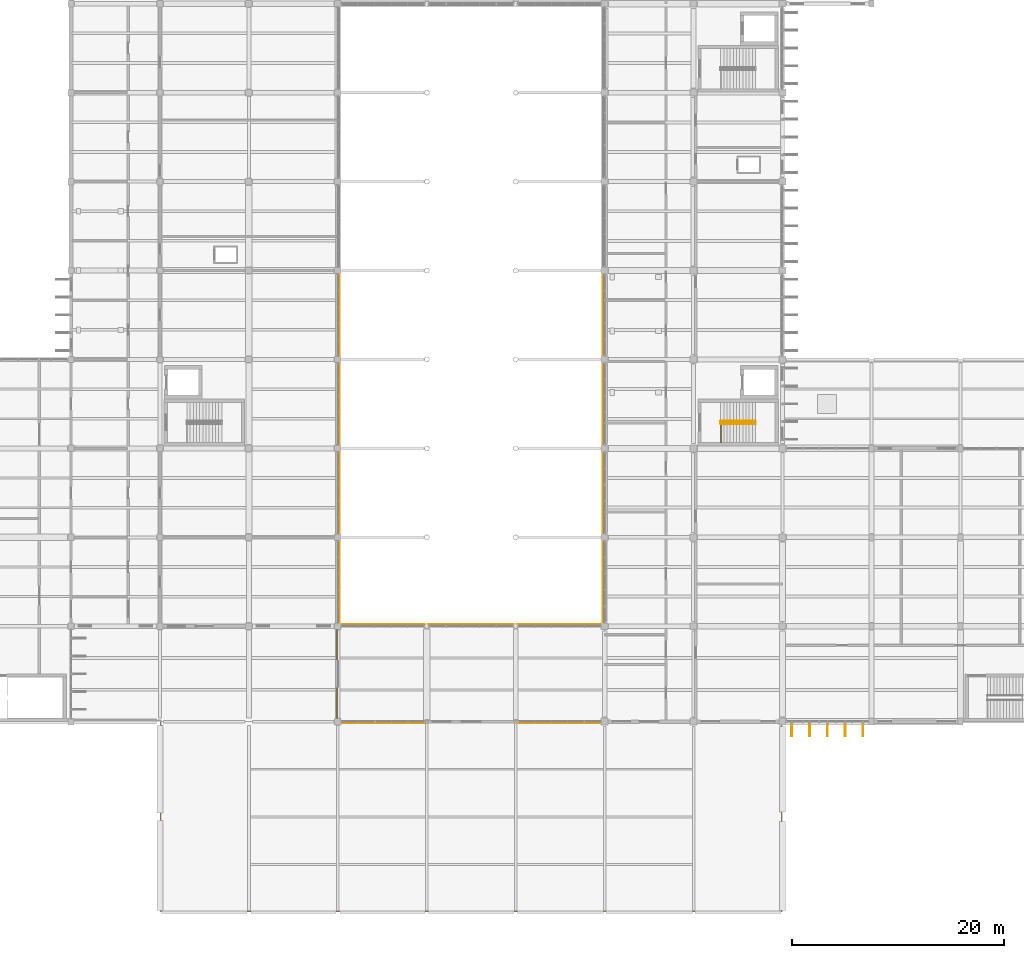
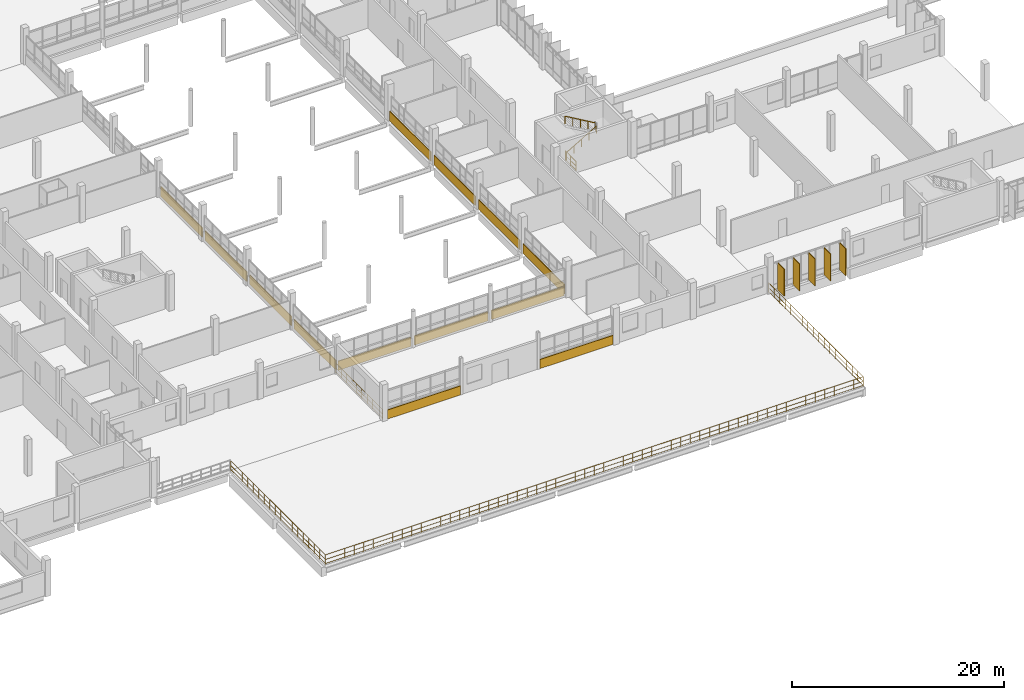
# One storey, part 96 of 101: 13 coverings, 5 railings, 5 shading devices.
"""IFC4 building model written with IfcOpenShell, lengths in metres."""

from ifc_helpers import new_model, si_unit, direction, frame, origin, origin_2d, place, context, subcontext, project, spatial, rectangle, circle, extrude, material, layer, layer_set, material_profile, profile_set, type_object, element, save


model = new_model("IFC4")

# Units and contexts
model_context = context("Model", 3, precision=1e-05, world=origin(), true_north=direction((0.0, 1.0)))
body_context = subcontext(model_context, "Body", "Model", "MODEL_VIEW")
ifc_project = project(units=[si_unit("LENGTHUNIT", "METRE"), si_unit("AREAUNIT", "SQUARE_METRE"), si_unit("VOLUMEUNIT", "CUBIC_METRE"), si_unit("PLANEANGLEUNIT", "RADIAN"), si_unit("MASSUNIT", "GRAM", prefix="KILO")], contexts=[model_context])

# Site, building, storey
site_placement = place(None, origin())
site = spatial("IfcSite", under=ifc_project, at=site_placement, CompositionType="ELEMENT")
building_placement = place(site_placement, origin())
building = spatial("IfcBuilding", under=site, at=building_placement, Name="Vireocrest Preparatory School", CompositionType="ELEMENT")
storey_placement = place(building_placement, frame((0.0, 0.0, 4.800048828125)))
storey = spatial("IfcBuildingStorey", under=building, at=storey_placement, Name="L01", CompositionType="ELEMENT", Elevation=4.800048828125)

# Railings
ifc_material_1 = material(Name="Brushed stainless steel AISI 316", Category="steel")
railing_type_1 = type_object("IfcRailingType", Name="Post-and-Rail Guard Balustrade 1120", PredefinedType="BALUSTRADE", material=ifc_material_1)
railing_1_placement = place(storey_placement, frame((50.47998046875, 17.919921875, 0.0)))
element("IfcRailing", 1, at=railing_1_placement, inside=storey, type_object=railing_type_1, Name="Terrace and Deck Guard Balustrade GR1 L01 PLAY_DECK_U", PredefinedType="BALUSTRADE", context=body_context, shape_type="SweptSolid", body=[
    extrude(circle(Radius=0.02392578125, at=origin_2d()), frame((0.0, 0.0, 1.09619140625), z_axis=(0.0, -1.0, 0.0), x_axis=(1.0, 0.0, 0.0)), (0.0, 0.0, 1.0), 17.83984375),
    extrude(circle(Radius=0.01806640625, at=origin_2d()), frame((0.0, 0.0, 0.56005859375), z_axis=(0.0, -1.0, 0.0), x_axis=(1.0, 0.0, 0.0)), (0.0, 0.0, 1.0), 17.83984375),
    extrude(circle(Radius=0.01806640625, at=origin_2d()), frame((0.0, 0.0, 0.10009765625), z_axis=(0.0, -1.0, 0.0), x_axis=(1.0, 0.0, 0.0)), (0.0, 0.0, 1.0), 17.83984375),
    extrude(circle(Radius=0.02392578125, at=origin_2d()), frame((0.0, -17.83984375, 1.09619140625), z_axis=(1.0, 0.0, 0.0), x_axis=(0.0, 1.0, 0.0)), (0.0, 0.0, 1.0), 58.64013671875),
    extrude(circle(Radius=0.01806640625, at=origin_2d()), frame((0.0, -17.83984375, 0.56005859375), z_axis=(1.0, 0.0, 0.0), x_axis=(0.0, 1.0, 0.0)), (0.0, 0.0, 1.0), 58.64013671875),
    extrude(circle(Radius=0.01806640625, at=origin_2d()), frame((0.0, -17.83984375, 0.10009765625), z_axis=(1.0, 0.0, 0.0), x_axis=(0.0, 1.0, 0.0)), (0.0, 0.0, 1.0), 58.64013671875),
    extrude(circle(Radius=0.02392578125, at=origin_2d()), frame((58.64013671875, -17.83984375, 1.09619140625), z_axis=(0.0, 1.0, 0.0), x_axis=(-1.0, 0.0, 0.0)), (0.0, 0.0, 1.0), 17.83984375),
    extrude(circle(Radius=0.01806640625, at=origin_2d()), frame((58.64013671875, -17.83984375, 0.56005859375), z_axis=(0.0, 1.0, 0.0), x_axis=(-1.0, 0.0, 0.0)), (0.0, 0.0, 1.0), 17.83984375),
    extrude(circle(Radius=0.01806640625, at=origin_2d()), frame((58.64013671875, -17.83984375, 0.10009765625), z_axis=(0.0, 1.0, 0.0), x_axis=(-1.0, 0.0, 0.0)), (0.0, 0.0, 1.0), 17.83984375),
    extrude(circle(Radius=0.02099609375, at=origin_2d()), origin(), (0.0, 0.0, 1.0), 1.072021484375),
    extrude(circle(Radius=0.02099609375, at=origin_2d()), frame((0.0, -1.04931640625, 0.0)), (0.0, 0.0, 1.0), 1.072021484375),
    extrude(circle(Radius=0.02099609375, at=origin_2d()), frame((0.0, -2.098876953125, 0.0)), (0.0, 0.0, 1.0), 1.072021484375),
    extrude(circle(Radius=0.02099609375, at=origin_2d()), frame((0.0, -3.148193359375, 0.0)), (0.0, 0.0, 1.0), 1.072021484375),
    extrude(circle(Radius=0.02099609375, at=origin_2d()), frame((0.0, -4.197509765625, 0.0)), (0.0, 0.0, 1.0), 1.072021484375),
    extrude(circle(Radius=0.02099609375, at=origin_2d()), frame((0.0, -5.2470703125, 0.0)), (0.0, 0.0, 1.0), 1.072021484375),
    extrude(circle(Radius=0.02099609375, at=origin_2d()), frame((0.0, -6.29638671875, 0.0)), (0.0, 0.0, 1.0), 1.072021484375),
    extrude(circle(Radius=0.02099609375, at=origin_2d()), frame((0.0, -7.345703125, 0.0)), (0.0, 0.0, 1.0), 1.072021484375),
    extrude(circle(Radius=0.02099609375, at=origin_2d()), frame((0.0, -8.395263671875, 0.0)), (0.0, 0.0, 1.0), 1.072021484375),
    extrude(circle(Radius=0.02099609375, at=origin_2d()), frame((0.0, -9.444580078125, 0.0)), (0.0, 0.0, 1.0), 1.072021484375),
    extrude(circle(Radius=0.02099609375, at=origin_2d()), frame((0.0, -10.494140625, 0.0)), (0.0, 0.0, 1.0), 1.072021484375),
    extrude(circle(Radius=0.02099609375, at=origin_2d()), frame((0.0, -11.54345703125, 0.0)), (0.0, 0.0, 1.0), 1.072021484375),
    extrude(circle(Radius=0.02099609375, at=origin_2d()), frame((0.0, -12.5927734375, 0.0)), (0.0, 0.0, 1.0), 1.072021484375),
    extrude(circle(Radius=0.02099609375, at=origin_2d()), frame((0.0, -13.642333984375, 0.0)), (0.0, 0.0, 1.0), 1.072021484375),
    extrude(circle(Radius=0.02099609375, at=origin_2d()), frame((0.0, -14.691650390625, 0.0)), (0.0, 0.0, 1.0), 1.072021484375),
    extrude(circle(Radius=0.02099609375, at=origin_2d()), frame((0.0, -15.740966796875, 0.0)), (0.0, 0.0, 1.0), 1.072021484375),
    extrude(circle(Radius=0.02099609375, at=origin_2d()), frame((0.0, -16.79052734375, 0.0)), (0.0, 0.0, 1.0), 1.072021484375),
    extrude(circle(Radius=0.02099609375, at=origin_2d()), frame((0.0, -17.83984375, 0.0)), (0.0, 0.0, 1.0), 1.072021484375),
    extrude(circle(Radius=0.02099609375, at=origin_2d()), frame((1.047119140625, -17.83984375, 0.0)), (0.0, 0.0, 1.0), 1.072021484375),
    extrude(circle(Radius=0.02099609375, at=origin_2d()), frame((2.09423828125, -17.83984375, 0.0)), (0.0, 0.0, 1.0), 1.072021484375),
    extrude(circle(Radius=0.02099609375, at=origin_2d()), frame((3.141357421875, -17.83984375, 0.0)), (0.0, 0.0, 1.0), 1.072021484375),
    extrude(circle(Radius=0.02099609375, at=origin_2d()), frame((4.1884765625, -17.83984375, 0.0)), (0.0, 0.0, 1.0), 1.072021484375),
    extrude(circle(Radius=0.02099609375, at=origin_2d()), frame((5.23583984375, -17.83984375, 0.0)), (0.0, 0.0, 1.0), 1.072021484375),
    extrude(circle(Radius=0.02099609375, at=origin_2d()), frame((6.282958984375, -17.83984375, 0.0)), (0.0, 0.0, 1.0), 1.072021484375),
    extrude(circle(Radius=0.02099609375, at=origin_2d()), frame((7.330078125, -17.83984375, 0.0)), (0.0, 0.0, 1.0), 1.072021484375),
    extrude(circle(Radius=0.02099609375, at=origin_2d()), frame((8.377197265625, -17.83984375, 0.0)), (0.0, 0.0, 1.0), 1.072021484375),
    extrude(circle(Radius=0.02099609375, at=origin_2d()), frame((9.42431640625, -17.83984375, 0.0)), (0.0, 0.0, 1.0), 1.072021484375),
    extrude(circle(Radius=0.02099609375, at=origin_2d()), frame((10.471435546875, -17.83984375, 0.0)), (0.0, 0.0, 1.0), 1.072021484375),
    extrude(circle(Radius=0.02099609375, at=origin_2d()), frame((11.5185546875, -17.83984375, 0.0)), (0.0, 0.0, 1.0), 1.072021484375),
    extrude(circle(Radius=0.02099609375, at=origin_2d()), frame((12.565673828125, -17.83984375, 0.0)), (0.0, 0.0, 1.0), 1.072021484375),
    extrude(circle(Radius=0.02099609375, at=origin_2d()), frame((13.61279296875, -17.83984375, 0.0)), (0.0, 0.0, 1.0), 1.072021484375),
    extrude(circle(Radius=0.02099609375, at=origin_2d()), frame((14.66015625, -17.83984375, 0.0)), (0.0, 0.0, 1.0), 1.072021484375),
    extrude(circle(Radius=0.02099609375, at=origin_2d()), frame((15.707275390625, -17.83984375, 0.0)), (0.0, 0.0, 1.0), 1.072021484375),
    extrude(circle(Radius=0.02099609375, at=origin_2d()), frame((16.75439453125, -17.83984375, 0.0)), (0.0, 0.0, 1.0), 1.072021484375),
    extrude(circle(Radius=0.02099609375, at=origin_2d()), frame((17.801513671875, -17.83984375, 0.0)), (0.0, 0.0, 1.0), 1.072021484375),
    extrude(circle(Radius=0.02099609375, at=origin_2d()), frame((18.8486328125, -17.83984375, 0.0)), (0.0, 0.0, 1.0), 1.072021484375),
    extrude(circle(Radius=0.02099609375, at=origin_2d()), frame((19.895751953125, -17.83984375, 0.0)), (0.0, 0.0, 1.0), 1.072021484375),
    extrude(circle(Radius=0.02099609375, at=origin_2d()), frame((20.94287109375, -17.83984375, 0.0)), (0.0, 0.0, 1.0), 1.072021484375),
    extrude(circle(Radius=0.02099609375, at=origin_2d()), frame((21.989990234375, -17.83984375, 0.0)), (0.0, 0.0, 1.0), 1.072021484375),
    extrude(circle(Radius=0.02099609375, at=origin_2d()), frame((23.037109375, -17.83984375, 0.0)), (0.0, 0.0, 1.0), 1.072021484375),
    extrude(circle(Radius=0.02099609375, at=origin_2d()), frame((24.084228515625, -17.83984375, 0.0)), (0.0, 0.0, 1.0), 1.072021484375),
    extrude(circle(Radius=0.02099609375, at=origin_2d()), frame((25.131591796875, -17.83984375, 0.0)), (0.0, 0.0, 1.0), 1.072021484375),
    extrude(circle(Radius=0.02099609375, at=origin_2d()), frame((26.1787109375, -17.83984375, 0.0)), (0.0, 0.0, 1.0), 1.072021484375),
    extrude(circle(Radius=0.02099609375, at=origin_2d()), frame((27.225830078125, -17.83984375, 0.0)), (0.0, 0.0, 1.0), 1.072021484375),
    extrude(circle(Radius=0.02099609375, at=origin_2d()), frame((28.27294921875, -17.83984375, 0.0)), (0.0, 0.0, 1.0), 1.072021484375),
    extrude(circle(Radius=0.02099609375, at=origin_2d()), frame((29.320068359375, -17.83984375, 0.0)), (0.0, 0.0, 1.0), 1.072021484375),
    extrude(circle(Radius=0.02099609375, at=origin_2d()), frame((30.3671875, -17.83984375, 0.0)), (0.0, 0.0, 1.0), 1.072021484375),
    extrude(circle(Radius=0.02099609375, at=origin_2d()), frame((31.414306640625, -17.83984375, 0.0)), (0.0, 0.0, 1.0), 1.072021484375),
    extrude(circle(Radius=0.02099609375, at=origin_2d()), frame((32.46142578125, -17.83984375, 0.0)), (0.0, 0.0, 1.0), 1.072021484375),
    extrude(circle(Radius=0.02099609375, at=origin_2d()), frame((33.508544921875, -17.83984375, 0.0)), (0.0, 0.0, 1.0), 1.072021484375),
    extrude(circle(Radius=0.02099609375, at=origin_2d()), frame((34.555908203125, -17.83984375, 0.0)), (0.0, 0.0, 1.0), 1.072021484375),
    extrude(circle(Radius=0.02099609375, at=origin_2d()), frame((35.60302734375, -17.83984375, 0.0)), (0.0, 0.0, 1.0), 1.072021484375),
    extrude(circle(Radius=0.02099609375, at=origin_2d()), frame((36.650146484375, -17.83984375, 0.0)), (0.0, 0.0, 1.0), 1.072021484375),
    extrude(circle(Radius=0.02099609375, at=origin_2d()), frame((37.697265625, -17.83984375, 0.0)), (0.0, 0.0, 1.0), 1.072021484375),
    extrude(circle(Radius=0.02099609375, at=origin_2d()), frame((38.744384765625, -17.83984375, 0.0)), (0.0, 0.0, 1.0), 1.072021484375),
    extrude(circle(Radius=0.02099609375, at=origin_2d()), frame((39.79150390625, -17.83984375, 0.0)), (0.0, 0.0, 1.0), 1.072021484375),
    extrude(circle(Radius=0.02099609375, at=origin_2d()), frame((40.838623046875, -17.83984375, 0.0)), (0.0, 0.0, 1.0), 1.072021484375),
    extrude(circle(Radius=0.02099609375, at=origin_2d()), frame((41.8857421875, -17.83984375, 0.0)), (0.0, 0.0, 1.0), 1.072021484375),
    extrude(circle(Radius=0.02099609375, at=origin_2d()), frame((42.932861328125, -17.83984375, 0.0)), (0.0, 0.0, 1.0), 1.072021484375),
    extrude(circle(Radius=0.02099609375, at=origin_2d()), frame((43.97998046875, -17.83984375, 0.0)), (0.0, 0.0, 1.0), 1.072021484375),
    extrude(circle(Radius=0.02099609375, at=origin_2d()), frame((45.02734375, -17.83984375, 0.0)), (0.0, 0.0, 1.0), 1.072021484375),
    extrude(circle(Radius=0.02099609375, at=origin_2d()), frame((46.074462890625, -17.83984375, 0.0)), (0.0, 0.0, 1.0), 1.072021484375),
    extrude(circle(Radius=0.02099609375, at=origin_2d()), frame((47.12158203125, -17.83984375, 0.0)), (0.0, 0.0, 1.0), 1.072021484375),
    extrude(circle(Radius=0.02099609375, at=origin_2d()), frame((48.168701171875, -17.83984375, 0.0)), (0.0, 0.0, 1.0), 1.072021484375),
    extrude(circle(Radius=0.02099609375, at=origin_2d()), frame((49.2158203125, -17.83984375, 0.0)), (0.0, 0.0, 1.0), 1.072021484375),
    extrude(circle(Radius=0.02099609375, at=origin_2d()), frame((50.262939453125, -17.83984375, 0.0)), (0.0, 0.0, 1.0), 1.072021484375),
    extrude(circle(Radius=0.02099609375, at=origin_2d()), frame((51.31005859375, -17.83984375, 0.0)), (0.0, 0.0, 1.0), 1.072021484375),
    extrude(circle(Radius=0.02099609375, at=origin_2d()), frame((52.357177734375, -17.83984375, 0.0)), (0.0, 0.0, 1.0), 1.072021484375),
    extrude(circle(Radius=0.02099609375, at=origin_2d()), frame((53.404296875, -17.83984375, 0.0)), (0.0, 0.0, 1.0), 1.072021484375),
    extrude(circle(Radius=0.02099609375, at=origin_2d()), frame((54.45166015625, -17.83984375, 0.0)), (0.0, 0.0, 1.0), 1.072021484375),
    extrude(circle(Radius=0.02099609375, at=origin_2d()), frame((55.498779296875, -17.83984375, 0.0)), (0.0, 0.0, 1.0), 1.072021484375),
    extrude(circle(Radius=0.02099609375, at=origin_2d()), frame((56.5458984375, -17.83984375, 0.0)), (0.0, 0.0, 1.0), 1.072021484375),
    extrude(circle(Radius=0.02099609375, at=origin_2d()), frame((57.593017578125, -17.83984375, 0.0)), (0.0, 0.0, 1.0), 1.072021484375),
    extrude(circle(Radius=0.02099609375, at=origin_2d()), frame((58.64013671875, -17.83984375, 0.0)), (0.0, 0.0, 1.0), 1.072021484375),
    extrude(circle(Radius=0.02099609375, at=origin_2d()), frame((58.64013671875, -16.79052734375, 0.0)), (0.0, 0.0, 1.0), 1.072021484375),
    extrude(circle(Radius=0.02099609375, at=origin_2d()), frame((58.64013671875, -15.740966796875, 0.0)), (0.0, 0.0, 1.0), 1.072021484375),
    extrude(circle(Radius=0.02099609375, at=origin_2d()), frame((58.64013671875, -14.691650390625, 0.0)), (0.0, 0.0, 1.0), 1.072021484375),
    extrude(circle(Radius=0.02099609375, at=origin_2d()), frame((58.64013671875, -13.642333984375, 0.0)), (0.0, 0.0, 1.0), 1.072021484375),
    extrude(circle(Radius=0.02099609375, at=origin_2d()), frame((58.64013671875, -12.5927734375, 0.0)), (0.0, 0.0, 1.0), 1.072021484375),
    extrude(circle(Radius=0.02099609375, at=origin_2d()), frame((58.64013671875, -11.54345703125, 0.0)), (0.0, 0.0, 1.0), 1.072021484375),
    extrude(circle(Radius=0.02099609375, at=origin_2d()), frame((58.64013671875, -10.494140625, 0.0)), (0.0, 0.0, 1.0), 1.072021484375),
    extrude(circle(Radius=0.02099609375, at=origin_2d()), frame((58.64013671875, -9.444580078125, 0.0)), (0.0, 0.0, 1.0), 1.072021484375),
    extrude(circle(Radius=0.02099609375, at=origin_2d()), frame((58.64013671875, -8.395263671875, 0.0)), (0.0, 0.0, 1.0), 1.072021484375),
    extrude(circle(Radius=0.02099609375, at=origin_2d()), frame((58.64013671875, -7.345703125, 0.0)), (0.0, 0.0, 1.0), 1.072021484375),
    extrude(circle(Radius=0.02099609375, at=origin_2d()), frame((58.64013671875, -6.29638671875, 0.0)), (0.0, 0.0, 1.0), 1.072021484375),
    extrude(circle(Radius=0.02099609375, at=origin_2d()), frame((58.64013671875, -5.2470703125, 0.0)), (0.0, 0.0, 1.0), 1.072021484375),
    extrude(circle(Radius=0.02099609375, at=origin_2d()), frame((58.64013671875, -4.197509765625, 0.0)), (0.0, 0.0, 1.0), 1.072021484375),
    extrude(circle(Radius=0.02099609375, at=origin_2d()), frame((58.64013671875, -3.148193359375, 0.0)), (0.0, 0.0, 1.0), 1.072021484375),
    extrude(circle(Radius=0.02099609375, at=origin_2d()), frame((58.64013671875, -2.098876953125, 0.0)), (0.0, 0.0, 1.0), 1.072021484375),
    extrude(circle(Radius=0.02099609375, at=origin_2d()), frame((58.64013671875, -1.04931640625, 0.0)), (0.0, 0.0, 1.0), 1.072021484375),
    extrude(circle(Radius=0.02099609375, at=origin_2d()), frame((58.64013671875, 0.0, 0.0)), (0.0, 0.0, 1.0), 1.072021484375),
])
railing_2_placement = place(storey_placement, frame((67.1201171875, 18.080078125, 0.0)))
element("IfcRailing", 2, at=railing_2_placement, inside=storey, type_object=railing_type_1, Name="Terrace and Deck Guard Balustrade GR1 L01 WEST_TERR_E", PredefinedType="BALUSTRADE", context=body_context, shape_type="SweptSolid", body=[
    extrude(circle(Radius=0.02392578125, at=origin_2d()), frame((0.0, 0.0, 1.09619140625), z_axis=(0.0, 1.0, 0.0), x_axis=(-1.0, 0.0, 0.0)), (0.0, 0.0, 1.0), 8.83984375),
    extrude(circle(Radius=0.01806640625, at=origin_2d()), frame((0.0, 0.0, 0.56005859375), z_axis=(0.0, 1.0, 0.0), x_axis=(-1.0, 0.0, 0.0)), (0.0, 0.0, 1.0), 8.83984375),
    extrude(circle(Radius=0.01806640625, at=origin_2d()), frame((0.0, 0.0, 0.10009765625), z_axis=(0.0, 1.0, 0.0), x_axis=(-1.0, 0.0, 0.0)), (0.0, 0.0, 1.0), 8.83984375),
    extrude(circle(Radius=0.02099609375, at=origin_2d()), origin(), (0.0, 0.0, 1.0), 1.072021484375),
    extrude(circle(Radius=0.02099609375, at=origin_2d()), frame((0.0, 0.982177734375, 0.0)), (0.0, 0.0, 1.0), 1.072021484375),
    extrude(circle(Radius=0.02099609375, at=origin_2d()), frame((0.0, 1.96435546875, 0.0)), (0.0, 0.0, 1.0), 1.072021484375),
    extrude(circle(Radius=0.02099609375, at=origin_2d()), frame((0.0, 2.946533203125, 0.0)), (0.0, 0.0, 1.0), 1.072021484375),
    extrude(circle(Radius=0.02099609375, at=origin_2d()), frame((0.0, 3.9287109375, 0.0)), (0.0, 0.0, 1.0), 1.072021484375),
    extrude(circle(Radius=0.02099609375, at=origin_2d()), frame((0.0, 4.9111328125, 0.0)), (0.0, 0.0, 1.0), 1.072021484375),
    extrude(circle(Radius=0.02099609375, at=origin_2d()), frame((0.0, 5.893310546875, 0.0)), (0.0, 0.0, 1.0), 1.072021484375),
    extrude(circle(Radius=0.02099609375, at=origin_2d()), frame((0.0, 6.87548828125, 0.0)), (0.0, 0.0, 1.0), 1.072021484375),
    extrude(circle(Radius=0.02099609375, at=origin_2d()), frame((0.0, 7.857666015625, 0.0)), (0.0, 0.0, 1.0), 1.072021484375),
    extrude(circle(Radius=0.02099609375, at=origin_2d()), frame((0.0, 8.83984375, 0.0)), (0.0, 0.0, 1.0), 1.072021484375),
])
railing_3_placement = place(storey_placement, frame((103.3701171875, 44.35009765625, 0.0)))
element("IfcRailing", 3, at=railing_3_placement, inside=storey, type_object=railing_type_1, Name="Arrival Landing Guard ST2-L00", PredefinedType="BALUSTRADE", context=body_context, shape_type="SweptSolid", body=[
    extrude(circle(Radius=0.02392578125, at=origin_2d()), frame((0.0, 0.0, 1.09619140625), z_axis=(0.0, 1.0, 0.0), x_axis=(-1.0, 0.0, 0.0)), (0.0, 0.0, 1.0), 2.02001953125),
    extrude(circle(Radius=0.01806640625, at=origin_2d()), frame((0.0, 0.0, 0.56005859375), z_axis=(0.0, 1.0, 0.0), x_axis=(-1.0, 0.0, 0.0)), (0.0, 0.0, 1.0), 2.02001953125),
    extrude(circle(Radius=0.01806640625, at=origin_2d()), frame((0.0, 0.0, 0.10009765625), z_axis=(0.0, 1.0, 0.0), x_axis=(-1.0, 0.0, 0.0)), (0.0, 0.0, 1.0), 2.02001953125),
    extrude(circle(Radius=0.02099609375, at=origin_2d()), origin(), (0.0, 0.0, 1.0), 1.072021484375),
    extrude(circle(Radius=0.02099609375, at=origin_2d()), frame((0.0, 1.010009765625, 0.0)), (0.0, 0.0, 1.0), 1.072021484375),
    extrude(circle(Radius=0.02099609375, at=origin_2d()), frame((0.0, 2.02001953125, 0.0)), (0.0, 0.0, 1.0), 1.072021484375),
])
railing_type_2 = type_object("IfcRailingType", Name="Stair Pitch Handrail 900", PredefinedType="HANDRAIL", material=ifc_material_1)
railing_4_placement = place(storey_placement, frame((103.35009765625, 46.1298828125, 0.175048828125)))
element("IfcRailing", 4, at=railing_4_placement, inside=storey, type_object=railing_type_2, Name="Stair Handrail ST2-L01-HR1", PredefinedType="HANDRAIL", context=body_context, shape_type="SweptSolid", body=[
    extrude(circle(Radius=0.02392578125, at=origin_2d()), frame((0.0, 0.0, 0.8759765625), z_axis=(0.863788172461, 0.0, 0.503855131081), x_axis=(0.0, 1.0, 0.0)), (0.0, 0.0, 1.0), 3.820068359375),
    extrude(circle(Radius=0.02099609375, at=origin_2d()), origin(), (0.0, 0.0, 1.0), 0.851806640625),
    extrude(circle(Radius=0.02099609375, at=origin_2d()), frame((0.824951171875, 0.0, 0.481201171875)), (0.0, 0.0, 1.0), 0.851806640625),
    extrude(circle(Radius=0.02099609375, at=origin_2d()), frame((1.64990234375, 0.0, 0.96240234375)), (0.0, 0.0, 1.0), 0.851806640625),
    extrude(circle(Radius=0.02099609375, at=origin_2d()), frame((2.474853515625, 0.0, 1.443603515625)), (0.0, 0.0, 1.0), 0.851806640625),
    extrude(circle(Radius=0.02099609375, at=origin_2d()), frame((3.2998046875, 0.0, 1.9248046875)), (0.0, 0.0, 1.0), 0.851806640625),
])
railing_5_placement = place(storey_placement, frame((106.64990234375, 46.3701171875, 2.27490234375)))
element("IfcRailing", 5, at=railing_5_placement, inside=storey, type_object=railing_type_2, Name="Stair Handrail ST2-L01-HR2", PredefinedType="HANDRAIL", context=body_context, shape_type="SweptSolid", body=[
    extrude(circle(Radius=0.02392578125, at=origin_2d()), frame((0.0, 0.0, 0.8759765625), z_axis=(-0.863760357493, 0.0, 0.503902812876), x_axis=(0.0, -1.0, 0.0)), (0.0, 0.0, 1.0), 3.8203125),
    extrude(circle(Radius=0.02099609375, at=origin_2d()), origin(), (0.0, 0.0, 1.0), 0.851806640625),
    extrude(circle(Radius=0.02099609375, at=origin_2d()), frame((-0.824951171875, 0.0, 0.481201171875)), (0.0, 0.0, 1.0), 0.851806640625),
    extrude(circle(Radius=0.02099609375, at=origin_2d()), frame((-1.64990234375, 0.0, 0.96240234375)), (0.0, 0.0, 1.0), 0.851806640625),
    extrude(circle(Radius=0.02099609375, at=origin_2d()), frame((-2.474853515625, 0.0, 1.44384765625)), (0.0, 0.0, 1.0), 0.851806640625),
    extrude(circle(Radius=0.02099609375, at=origin_2d()), frame((-3.2998046875, 0.0, 1.925048828125)), (0.0, 0.0, 1.0), 0.851806640625),
])

# Shading devices
ifc_material_2 = material(Name="Warm anodised aluminium EN AW-6063-T6", Category="aluminium")
ifc_material_profile = material_profile(ifc_material_2, rectangle(XDim=0.080078125, YDim=1.199951171875, at=origin_2d()), Name="FIN 80x1200")
ifc_profile_set = profile_set([ifc_material_profile], Name="Warm anodised aluminium EN AW-6063-T6")
shading_device_type = type_object("IfcShadingDeviceType", Name="Vertical Anodised Aluminium Solar Fin 1200", PredefinedType="USERDEFINED", material=ifc_profile_set)
for number, where, z_axis, x_axis, name in (
    (6, (110.077392578125, 17.219970703125, 0.02001953125), (0.0, 0.0, 1.0), (-1.0, 0.0, 0.0), "Vertical Solar Fin FN1 L01-4-1"),
    (7, (111.757568359375, 17.219970703125, 0.02001953125), (0.0, 0.0, 1.0), (-1.0, 0.0, 0.0), "Vertical Solar Fin FN1 L01-4-2"),
    (8, (113.4375, 17.219970703125, 0.02001953125), (0.0, 0.0, 1.0), (-1.0, 0.0, 0.0), "Vertical Solar Fin FN1 L01-4-3"),
    (9, (115.117431640625, 17.219970703125, 0.02001953125), (0.0, 0.0, 1.0), (-1.0, 0.0, 0.0), "Vertical Solar Fin FN1 L01-4-4"),
    (10, (116.797607421875, 17.219970703125, 0.02001953125), (0.0, 0.0, 1.0), (-1.0, 0.0, 0.0), "Vertical Solar Fin FN1 L01-4-5"),
):
    element("IfcShadingDevice", number, at=place(storey_placement, frame(where, z_axis=z_axis, x_axis=x_axis)), inside=storey, type_object=shading_device_type, Name=name, ObjectType="FIN", PredefinedType="USERDEFINED", context=body_context, shape_type="SweptSolid", body=[
        extrude(rectangle(XDim=0.080078125, YDim=1.199951171875, at=origin_2d()), origin(), (0.0, 0.0, 1.0), 3.1298828125),
    ])

# Coverings
ifc_material_3 = material(Name="Painted white aluminium cladding EN AW-6063-T6", Category="aluminium")
ifc_layer = layer(ifc_material_3, 0.044921875)
ifc_layer_set = layer_set([ifc_layer], Name="Painted white aluminium cladding EN AW-6063-T6")
covering_type = type_object("IfcCoveringType", Name="White High-Tech Horizontal Spandrel Cladding Band", PredefinedType="CLADDING", material=ifc_layer_set)
covering_1_placement = place(storey_placement, frame((71.473876953125, 17.864990234375, 0.02490234375), z_axis=(0.0, 0.0, 1.0), x_axis=(1.0, 0.0, 0.0)))
element("IfcCovering", 11, at=covering_1_placement, inside=storey, type_object=covering_type, Name="White Court Band Cladding L01-0201", PredefinedType="CLADDING", context=body_context, shape_type="SweptSolid", body=[
    extrude(rectangle(XDim=7.99755859375, YDim=0.0849609375, at=origin_2d()), origin(), (0.0, 0.0, 1.0), 1.050048828125),
])
covering_2_placement = place(storey_placement, frame((88.11376953125, 17.864990234375, 0.02490234375), z_axis=(0.0, 0.0, 1.0), x_axis=(1.0, 0.0, 0.0)))
element("IfcCovering", 12, at=covering_2_placement, inside=storey, type_object=covering_type, Name="White Court Band Cladding L01-0203", PredefinedType="CLADDING", context=body_context, shape_type="SweptSolid", body=[
    extrude(rectangle(XDim=7.97265625, YDim=0.0849609375, at=origin_2d()), origin(), (0.0, 0.0, 1.0), 1.050048828125),
])
for number, where, z_axis, x_axis, name in (
    (13, (67.3349609375, 31.199951171875, 0.02978515625), (0.0, 0.0, 1.0), (1.0, 0.0, 0.0), "White Court Spandrel Band L01-0204"),
    (14, (67.3349609375, 39.60009765625, 0.02978515625), (0.0, 0.0, 1.0), (1.0, 0.0, 0.0), "White Court Spandrel Band L01-0205"),
    (15, (67.3349609375, 48.0, 0.02978515625), (0.0, 0.0, 1.0), (1.0, 0.0, 0.0), "White Court Spandrel Band L01-0206"),
    (16, (67.3349609375, 56.39990234375, 0.02978515625), (0.0, 0.0, 1.0), (1.0, 0.0, 0.0), "White Court Spandrel Band L01-0207"),
):
    element("IfcCovering", number, at=place(storey_placement, frame(where, z_axis=z_axis, x_axis=x_axis)), inside=storey, type_object=covering_type, Name=name, PredefinedType="CLADDING", context=body_context, shape_type="SweptSolid", body=[
        extrude(rectangle(XDim=0.0849609375, YDim=7.85009765625, at=origin_2d()), origin(), (0.0, 0.0, 1.0), 1.10009765625),
    ])
for number, where, z_axis, x_axis, name in (
    (17, (92.264892578125, 31.199951171875, 0.02978515625), (0.0, 0.0, 1.0), (1.0, 0.0, 0.0), "White Court Spandrel Band L01-0214"),
    (18, (92.264892578125, 39.60009765625, 0.02978515625), (0.0, 0.0, 1.0), (1.0, 0.0, 0.0), "White Court Spandrel Band L01-0215"),
    (19, (92.264892578125, 48.0, 0.02978515625), (0.0, 0.0, 1.0), (1.0, 0.0, 0.0), "White Court Spandrel Band L01-0216"),
    (20, (92.264892578125, 56.39990234375, 0.02978515625), (0.0, 0.0, 1.0), (1.0, 0.0, 0.0), "White Court Spandrel Band L01-0217"),
):
    element("IfcCovering", number, at=place(storey_placement, frame(where, z_axis=z_axis, x_axis=x_axis)), inside=storey, type_object=covering_type, Name=name, PredefinedType="CLADDING", context=body_context, shape_type="SweptSolid", body=[
        extrude(rectangle(XDim=0.0849609375, YDim=7.800048828125, at=origin_2d()), origin(), (0.0, 0.0, 1.0), 1.10009765625),
    ])
covering_3_placement = place(storey_placement, frame((71.435791015625, 27.135009765625, 0.02490234375), z_axis=(0.0, 0.0, 1.0), x_axis=(1.0, 0.0, 0.0)))
element("IfcCovering", 21, at=covering_3_placement, inside=storey, type_object=covering_type, Name="White Court Band Cladding L01-0221", PredefinedType="CLADDING", context=body_context, shape_type="SweptSolid", body=[
    extrude(rectangle(XDim=7.92138671875, YDim=0.0849609375, at=origin_2d()), origin(), (0.0, 0.0, 1.0), 1.050048828125),
])
covering_4_placement = place(storey_placement, frame((79.800048828125, 27.135009765625, 0.02490234375), z_axis=(0.0, 0.0, 1.0), x_axis=(1.0, 0.0, 0.0)))
element("IfcCovering", 22, at=covering_4_placement, inside=storey, type_object=covering_type, Name="White Court Band Cladding L01-0222", PredefinedType="CLADDING", context=body_context, shape_type="SweptSolid", body=[
    extrude(rectangle(XDim=7.992919921875, YDim=0.0849609375, at=origin_2d()), origin(), (0.0, 0.0, 1.0), 1.050048828125),
])
covering_5_placement = place(storey_placement, frame((88.15185546875, 27.135009765625, 0.02490234375), z_axis=(0.0, 0.0, 1.0), x_axis=(1.0, 0.0, 0.0)))
element("IfcCovering", 23, at=covering_5_placement, inside=storey, type_object=covering_type, Name="White Court Band Cladding L01-0223", PredefinedType="CLADDING", context=body_context, shape_type="SweptSolid", body=[
    extrude(rectangle(XDim=7.896484375, YDim=0.0849609375, at=origin_2d()), origin(), (0.0, 0.0, 1.0), 1.050048828125),
])

save(model, "model.ifc")
